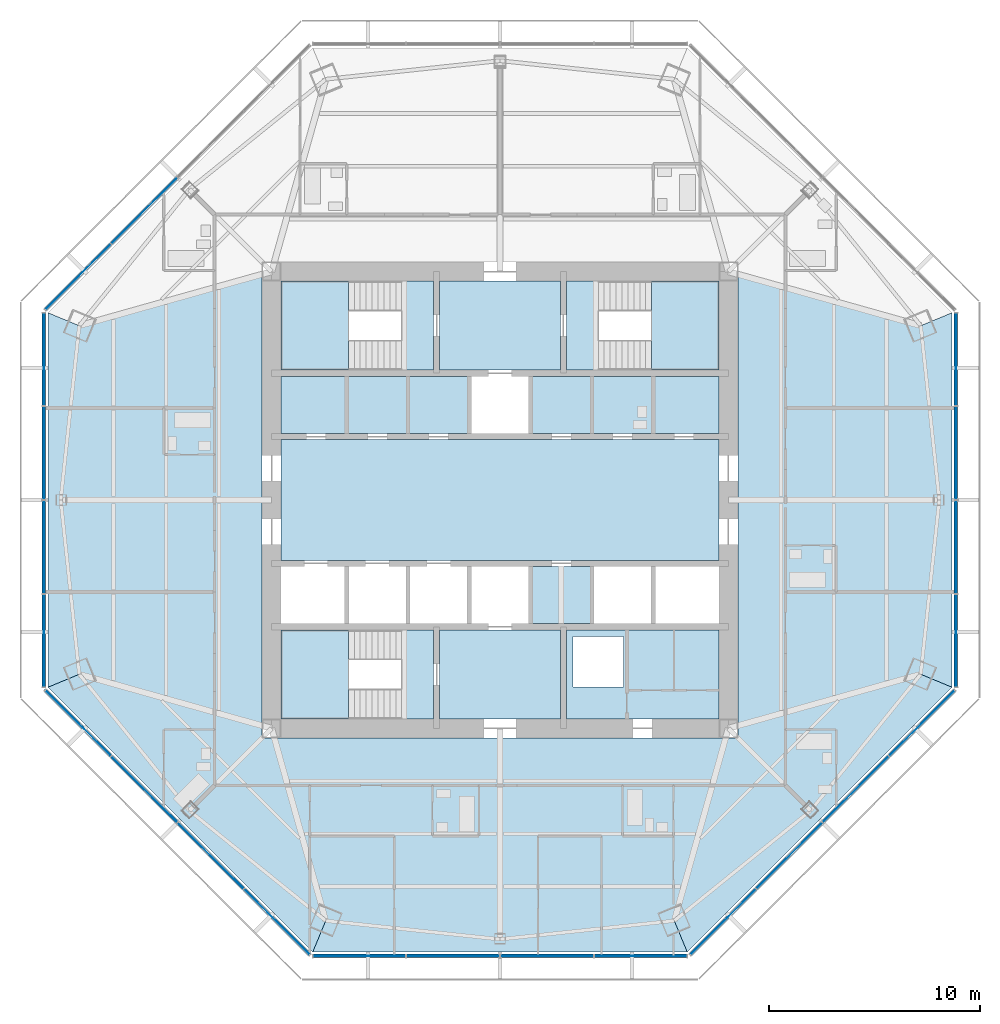
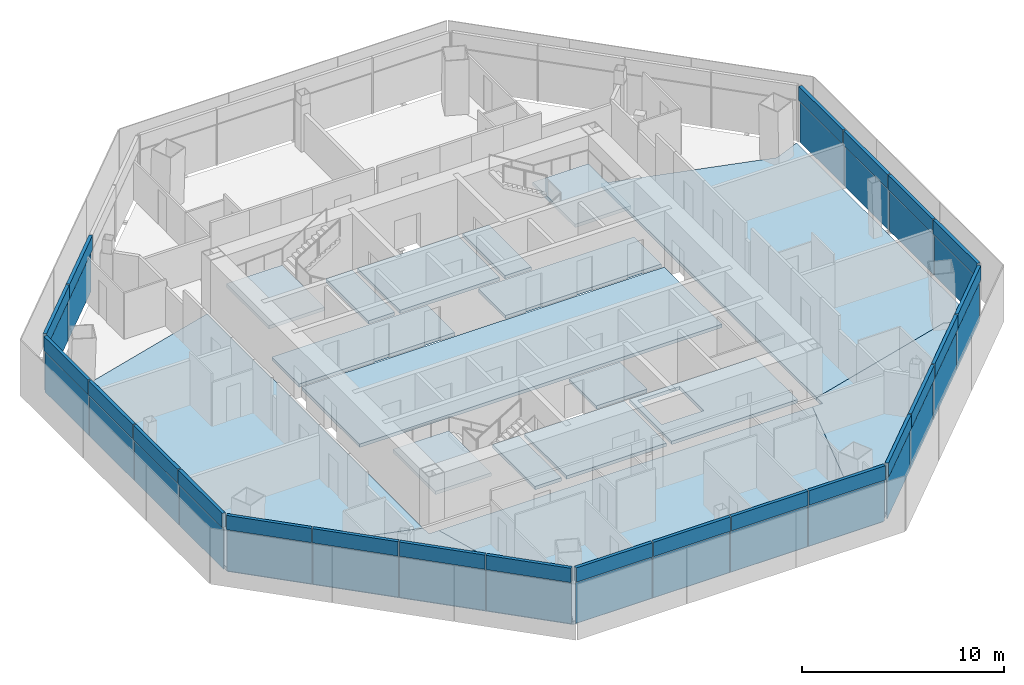
# One storey, part 7 of 15: 44 plates, 18 slabs, 9 elements without a shape of their own.
"""IFC4 building model written with IfcOpenShell, lengths in metres."""

from ifc_helpers import new_model, si_unit, direction, frame, origin, origin_2d, place, context, subcontext, project, spatial, polyline, rectangle, outline, extrude, source, transform, mapped, material, layer, layer_set, type_object, type_shapes, element, aggregate, save


model = new_model("IFC4")

# Units and contexts
model_context = context("Model", 3, precision=1e-05, world=origin(), true_north=direction((0.0, 1.0)))
body_context = subcontext(model_context, "Body", "Model", "MODEL_VIEW")
ifc_project = project(units=[si_unit("LENGTHUNIT", "METRE"), si_unit("AREAUNIT", "SQUARE_METRE"), si_unit("VOLUMEUNIT", "CUBIC_METRE"), si_unit("PLANEANGLEUNIT", "RADIAN"), si_unit("MASSUNIT", "GRAM", prefix="KILO")], contexts=[model_context])

# Site, building, storey
site_placement = place(None, origin())
site = spatial("IfcSite", under=ifc_project, at=site_placement, CompositionType="ELEMENT")
building_placement = place(site_placement, origin())
building = spatial("IfcBuilding", under=site, at=building_placement, Name="Mashrafa Tower", CompositionType="ELEMENT")
storey_placement = place(building_placement, frame((0.0, 0.0, 227.800048828125)))
storey = spatial("IfcBuildingStorey", under=building, at=storey_placement, Name="L53", CompositionType="ELEMENT", Elevation=227.800048828125)

# Slabs
ifc_material_1 = material(Name="Concrete C35/45", Category="concrete")
ifc_layer_1 = layer(ifc_material_1, 0.199951171875)
ifc_layer_set_1 = layer_set([ifc_layer_1], Name="Floor slab 200")
slab_type_1 = type_object("IfcSlabType", Name="Floor slab 200", PredefinedType="FLOOR", material=ifc_layer_set_1)
slab_1_placement = place(storey_placement, frame((0.0, 0.0, -0.199951171875)))
element("IfcSlab", 1, at=slab_1_placement, inside=storey, type_object=slab_type_1, Name="Floor slab L53 east bay", PredefinedType="FLOOR", context=body_context, shape_type="SweptSolid", body=[
    extrude(outline(polyline([(21.37060546875, -8.85205078125), (19.89794921875, -8.241943359375), (11.25, -10.673583984375), (11.25, 10.673583984375), (19.89794921875, 8.241943359375), (21.37060546875, 8.85205078125), (21.37060546875, -8.85205078125)])), origin(), (0.0, 0.0, 1.0), 0.199951171875),
])
slab_2_placement = place(storey_placement, frame((0.0, 0.0, -0.199951171875)))
element("IfcSlab", 2, at=slab_2_placement, inside=storey, type_object=slab_type_1, Name="Floor slab L53 west bay", PredefinedType="FLOOR", context=body_context, shape_type="SweptSolid", body=[
    extrude(outline(polyline([(-21.37060546875, 8.85205078125), (-19.89794921875, 8.241943359375), (-11.25, 10.673583984375), (-11.25, -10.673583984375), (-19.89794921875, -8.241943359375), (-21.37060546875, -8.85205078125), (-21.37060546875, 8.85205078125)])), origin(), (0.0, 0.0, 1.0), 0.199951171875),
])
slab_3_placement = place(storey_placement, frame((0.0, 0.0, -0.199951171875)))
element("IfcSlab", 3, at=slab_3_placement, inside=storey, type_object=slab_type_1, Name="Floor slab L53 south-west bay", PredefinedType="FLOOR", context=body_context, shape_type="SweptSolid", body=[
    extrude(outline(polyline([(-8.85205078125, -21.37060546875), (-21.37060546875, -8.85205078125), (-21.37060546875, -8.85205078125), (-19.89794921875, -8.241943359375), (-11.25, -10.673583984375), (-11.25, -11.25), (-10.673583984375, -11.25), (-8.241943359375, -19.89794921875), (-8.85205078125, -21.37060546875), (-8.85205078125, -21.37060546875)])), origin(), (0.0, 0.0, 1.0), 0.199951171875),
])
slab_4_placement = place(storey_placement, frame((0.0, 0.0, -0.199951171875)))
element("IfcSlab", 4, at=slab_4_placement, inside=storey, type_object=slab_type_1, Name="Floor slab L53 south bay", PredefinedType="FLOOR", context=body_context, shape_type="SweptSolid", body=[
    extrude(outline(polyline([(-8.85205078125, -21.37060546875), (-8.241943359375, -19.89794921875), (-10.673583984375, -11.25), (10.673583984375, -11.25), (8.241943359375, -19.89794921875), (8.85205078125, -21.37060546875), (-8.85205078125, -21.37060546875)])), origin(), (0.0, 0.0, 1.0), 0.199951171875),
])
slab_5_placement = place(storey_placement, frame((0.0, 0.0, -0.199951171875)))
element("IfcSlab", 5, at=slab_5_placement, inside=storey, type_object=slab_type_1, Name="Floor slab L53 south-east bay", PredefinedType="FLOOR", context=body_context, shape_type="SweptSolid", body=[
    extrude(outline(polyline([(8.85205078125, -21.37060546875), (8.241943359375, -19.89794921875), (10.673583984375, -11.25), (11.25, -11.25), (11.25, -10.673583984375), (19.89794921875, -8.241943359375), (21.37060546875, -8.85205078125), (21.37060546875, -8.85205078125), (8.85205078125, -21.37060546875), (8.85205078125, -21.37060546875)])), origin(), (0.0, 0.0, 1.0), 0.199951171875),
])
slab_6_placement = place(storey_placement, frame((0.0, 0.0, -0.199951171875)))
element("IfcSlab", 6, at=slab_6_placement, inside=storey, type_object=slab_type_1, Name="Core floor lift hall L53", PredefinedType="FLOOR", context=body_context, shape_type="SweptSolid", body=[
    extrude(outline(polyline([(-10.35009765625, 2.85009765625), (10.35009765625, 2.85009765625), (10.35009765625, -2.85009765625), (-10.35009765625, -2.85009765625), (-10.35009765625, 2.85009765625)])), origin(), (0.0, 0.0, 1.0), 0.199951171875),
])
slab_7_placement = place(storey_placement, frame((0.0, 0.0, -0.199951171875)))
element("IfcSlab", 7, at=slab_7_placement, inside=storey, type_object=slab_type_1, Name="Core floor riser and electrical band L53", PredefinedType="FLOOR", context=body_context, shape_type="SweptSolid", body=[
    extrude(outline(polyline([(10.35009765625, -6.14990234375), (10.35009765625, -10.35009765625), (3.14990234375, -10.35009765625), (3.14990234375, -6.14990234375), (10.35009765625, -6.14990234375)]), holes=[polyline([(3.449951171875, -8.85009765625), (5.85009765625, -8.85009765625), (5.85009765625, -6.449951171875), (3.449951171875, -6.449951171875), (3.449951171875, -8.85009765625)])]), origin(), (0.0, 0.0, 1.0), 0.199951171875),
])
slab_8_placement = place(storey_placement, frame((0.0, 0.0, -0.199951171875)))
element("IfcSlab", 8, at=slab_8_placement, inside=storey, type_object=slab_type_1, Name="Core floor lift cell L53", PredefinedType="FLOOR", context=body_context, shape_type="SweptSolid", body=[
    extrude(outline(polyline([(-10.35009765625, 5.85009765625), (-1.449951171875, 5.85009765625), (-1.449951171875, 3.14990234375), (-10.35009765625, 3.14990234375), (-10.35009765625, 5.85009765625)])), origin(), (0.0, 0.0, 1.0), 0.199951171875),
])
slab_9_placement = place(storey_placement, frame((0.0, 0.0, -0.199951171875)))
element("IfcSlab", 9, at=slab_9_placement, inside=storey, type_object=slab_type_1, Name="Core floor lift cell L53", PredefinedType="FLOOR", context=body_context, shape_type="SweptSolid", body=[
    extrude(outline(polyline([(1.449951171875, 5.85009765625), (10.35009765625, 5.85009765625), (10.35009765625, 3.14990234375), (1.449951171875, 3.14990234375), (1.449951171875, 5.85009765625)])), origin(), (0.0, 0.0, 1.0), 0.199951171875),
])
slab_10_placement = place(storey_placement, frame((0.0, 0.0, -0.199951171875)))
element("IfcSlab", 10, at=slab_10_placement, inside=storey, type_object=slab_type_1, Name="Core floor fire-fighting lobby south L53", PredefinedType="FLOOR", context=body_context, shape_type="SweptSolid", body=[
    extrude(outline(polyline([(2.85009765625, -6.14990234375), (2.85009765625, -10.35009765625), (-2.85009765625, -10.35009765625), (-2.85009765625, -6.14990234375), (2.85009765625, -6.14990234375)])), origin(), (0.0, 0.0, 1.0), 0.199951171875),
])
slab_11_placement = place(storey_placement, frame((0.0, 0.0, -0.199951171875)))
element("IfcSlab", 11, at=slab_11_placement, inside=storey, type_object=slab_type_1, Name="Core floor fire-fighting lobby north L53", PredefinedType="FLOOR", context=body_context, shape_type="SweptSolid", body=[
    extrude(outline(polyline([(-2.85009765625, 10.35009765625), (2.85009765625, 10.35009765625), (2.85009765625, 6.14990234375), (-2.85009765625, 6.14990234375), (-2.85009765625, 10.35009765625)])), origin(), (0.0, 0.0, 1.0), 0.199951171875),
])
slab_12_placement = place(storey_placement, frame((0.0, 0.0, -0.199951171875)))
element("IfcSlab", 12, at=slab_12_placement, inside=storey, type_object=slab_type_1, Name="Core floor lift cell L53", PredefinedType="FLOOR", context=body_context, shape_type="SweptSolid", body=[
    extrude(outline(polyline([(4.35009765625, -3.14990234375), (4.35009765625, -5.85009765625), (1.449951171875, -5.85009765625), (1.449951171875, -3.14990234375), (4.35009765625, -3.14990234375)])), origin(), (0.0, 0.0, 1.0), 0.199951171875),
])

# Stair, slabs
ifc_material_2 = material(Name="Exit stair 1400")
stair_type = type_object("IfcStairType", Name="Exit stair 1400", PredefinedType="HALF_TURN_STAIR", material=ifc_material_2)
stair_1_placement = place(storey_placement, origin())
stair_1 = element("IfcStair", 13, at=stair_1_placement, inside=storey, type_object=stair_type, Name="Stair S1 L53", PredefinedType="HALF_TURN_STAIR")
ifc_material_3 = material(Name="Concrete C32/40", Category="concrete")
ifc_layer_2 = layer(ifc_material_3, 0.199951171875)
ifc_layer_set_2 = layer_set([ifc_layer_2], Name="Stair landing 200")
slab_type_2 = type_object("IfcSlabType", Name="Stair landing 200", PredefinedType="LANDING", material=ifc_layer_set_2)
slab_13_placement = place(storey_placement, frame((0.0, 0.0, -0.199951171875)))
slab_13 = element("IfcSlab", 14, at=slab_13_placement, type_object=slab_type_2, Name="S1 landing 1", PredefinedType="LANDING", context=body_context, shape_type="SweptSolid", body=[
    extrude(outline(polyline([(-4.659912109375, 6.14990234375), (-3.14990234375, 6.14990234375), (-3.14990234375, 10.35009765625), (-4.659912109375, 10.35009765625), (-4.659912109375, 6.14990234375)])), origin(), (0.0, 0.0, 1.0), 0.199951171875),
])
slab_14_placement = place(storey_placement, frame((0.0, 0.0, 1.5)))
slab_14 = element("IfcSlab", 15, at=slab_14_placement, type_object=slab_type_2, Name="S1 landing 2", PredefinedType="LANDING", context=body_context, shape_type="SweptSolid", body=[
    extrude(outline(polyline([(-10.35009765625, 6.14990234375), (-7.159912109375, 6.14990234375), (-7.159912109375, 10.35009765625), (-10.35009765625, 10.35009765625), (-10.35009765625, 6.14990234375)])), origin(), (0.0, 0.0, 1.0), 0.199951171875),
])
aggregate(stair_1, [slab_13, slab_14])

stair_2_placement = place(storey_placement, origin())
stair_2 = element("IfcStair", 16, at=stair_2_placement, inside=storey, type_object=stair_type, Name="Stair S2 L53", PredefinedType="HALF_TURN_STAIR")
slab_15_placement = place(storey_placement, frame((0.0, 0.0, -0.199951171875)))
slab_15 = element("IfcSlab", 17, at=slab_15_placement, type_object=slab_type_2, Name="S2 landing 1", PredefinedType="LANDING", context=body_context, shape_type="SweptSolid", body=[
    extrude(outline(polyline([(3.14990234375, 6.14990234375), (4.659912109375, 6.14990234375), (4.659912109375, 10.35009765625), (3.14990234375, 10.35009765625), (3.14990234375, 6.14990234375)])), origin(), (0.0, 0.0, 1.0), 0.199951171875),
])
slab_16_placement = place(storey_placement, frame((0.0, 0.0, 1.5)))
slab_16 = element("IfcSlab", 18, at=slab_16_placement, type_object=slab_type_2, Name="S2 landing 2", PredefinedType="LANDING", context=body_context, shape_type="SweptSolid", body=[
    extrude(outline(polyline([(7.159912109375, 6.14990234375), (10.35009765625, 6.14990234375), (10.35009765625, 10.35009765625), (7.159912109375, 10.35009765625), (7.159912109375, 6.14990234375)])), origin(), (0.0, 0.0, 1.0), 0.199951171875),
])
aggregate(stair_2, [slab_15, slab_16])

stair_3_placement = place(storey_placement, origin())
stair_3 = element("IfcStair", 19, at=stair_3_placement, inside=storey, type_object=stair_type, Name="Stair S3 L53", PredefinedType="HALF_TURN_STAIR")
slab_17_placement = place(storey_placement, frame((0.0, 0.0, -0.199951171875)))
slab_17 = element("IfcSlab", 20, at=slab_17_placement, type_object=slab_type_2, Name="S3 landing 1", PredefinedType="LANDING", context=body_context, shape_type="SweptSolid", body=[
    extrude(outline(polyline([(-4.659912109375, -10.35009765625), (-3.14990234375, -10.35009765625), (-3.14990234375, -6.14990234375), (-4.659912109375, -6.14990234375), (-4.659912109375, -10.35009765625)])), origin(), (0.0, 0.0, 1.0), 0.199951171875),
])
slab_18_placement = place(storey_placement, frame((0.0, 0.0, 1.5)))
slab_18 = element("IfcSlab", 21, at=slab_18_placement, type_object=slab_type_2, Name="S3 landing 2", PredefinedType="LANDING", context=body_context, shape_type="SweptSolid", body=[
    extrude(outline(polyline([(-10.35009765625, -10.35009765625), (-7.159912109375, -10.35009765625), (-7.159912109375, -6.14990234375), (-10.35009765625, -6.14990234375), (-10.35009765625, -10.35009765625)])), origin(), (0.0, 0.0, 1.0), 0.199951171875),
])
aggregate(stair_3, [slab_17, slab_18])

# Curtain wall, plates
ifc_material_4 = material(Name="Unitised aluminium curtain wall", Category="aluminium")
curtain_wall_type = type_object("IfcCurtainWallType", Name="Apartment curtain wall, zone 3 CW-C 180 deep", PredefinedType="NOTDEFINED", material=ifc_material_4)
curtain_wall_1_placement = place(storey_placement, origin())
curtain_wall_1 = element("IfcCurtainWall", 22, at=curtain_wall_1_placement, inside=storey, type_object=curtain_wall_type, Name="Apartment curtain wall, zone 3 L53 east", PredefinedType="NOTDEFINED")
ifc_material_5 = material(Name="Insulated double glazing, acoustic", Category="glass")
ifc_layer_3 = layer(ifc_material_5, 0.028076171875)
ifc_layer_set_3 = layer_set([ifc_layer_3], Name="Vision panel CW-C 28")
plate_type_1 = type_object("IfcPlateType", Name="Vision panel CW-C 28", PredefinedType="CURTAIN_PANEL", material=ifc_layer_set_3)
shared_shape_1 = source(origin(), body_context, "Body", "SweptSolid", [
    extrude(rectangle(XDim=4.353759765625, YDim=0.028076171875, at=origin_2d()), origin(), (0.0, 0.0, 1.0), 2.46240234375),
])
plate_1_placement = place(storey_placement, frame((21.570556640625, -6.650634765625, 0.0), z_axis=(0.0, 0.0, 1.0), x_axis=(0.0, 1.0, 0.0)))
plate_1 = element("IfcPlate", 23, at=plate_1_placement, type_object=plate_type_1, Name="CW-C vision panel 1", PredefinedType="CURTAIN_PANEL", context=body_context, shape_type="MappedRepresentation", body=[
    mapped(shared_shape_1, transform((0.0, 0.0, 0.0))),
])
plate_2_placement = place(storey_placement, frame((21.570556640625, 6.650634765625, 0.0), z_axis=(0.0, 0.0, 1.0), x_axis=(0.0, 1.0, 0.0)))
plate_2 = element("IfcPlate", 24, at=plate_2_placement, type_object=plate_type_1, Name="CW-C vision panel 4", PredefinedType="CURTAIN_PANEL", context=body_context, shape_type="MappedRepresentation", body=[
    mapped(shared_shape_1, transform((0.0, 0.0, 0.0))),
])

# Curtain wall, plate
curtain_wall_2_placement = place(storey_placement, origin())
curtain_wall_2 = element("IfcCurtainWall", 25, at=curtain_wall_2_placement, inside=storey, type_object=curtain_wall_type, Name="Apartment curtain wall, zone 3 L53 north-west", PredefinedType="NOTDEFINED")
plate_3_placement = place(storey_placement, frame((-19.955322265625, 10.550048828125, 0.0), z_axis=(0.0, 0.0, 1.0), x_axis=(-0.707106781187, -0.707106781187, 0.0)))
plate_3 = element("IfcPlate", 26, at=plate_3_placement, type_object=plate_type_1, Name="CW-C vision panel 4", PredefinedType="CURTAIN_PANEL", context=body_context, shape_type="MappedRepresentation", body=[
    mapped(shared_shape_1, transform((0.0, 0.0, 0.0))),
])

# Curtain wall, plates
curtain_wall_3_placement = place(storey_placement, origin())
curtain_wall_3 = element("IfcCurtainWall", 27, at=curtain_wall_3_placement, inside=storey, type_object=curtain_wall_type, Name="Apartment curtain wall, zone 3 L53 west", PredefinedType="NOTDEFINED")
plate_4_placement = place(storey_placement, frame((-21.570556640625, 6.650634765625, 0.0), z_axis=(0.0, 0.0, 1.0), x_axis=(0.0, -1.0, 0.0)))
plate_4 = element("IfcPlate", 28, at=plate_4_placement, type_object=plate_type_1, Name="CW-C vision panel 1", PredefinedType="CURTAIN_PANEL", context=body_context, shape_type="MappedRepresentation", body=[
    mapped(shared_shape_1, transform((0.0, 0.0, 0.0))),
])
plate_5_placement = place(storey_placement, frame((-21.570556640625, -6.650634765625, 0.0), z_axis=(0.0, 0.0, 1.0), x_axis=(0.0, -1.0, 0.0)))
plate_5 = element("IfcPlate", 29, at=plate_5_placement, type_object=plate_type_1, Name="CW-C vision panel 4", PredefinedType="CURTAIN_PANEL", context=body_context, shape_type="MappedRepresentation", body=[
    mapped(shared_shape_1, transform((0.0, 0.0, 0.0))),
])

curtain_wall_4_placement = place(storey_placement, origin())
curtain_wall_4 = element("IfcCurtainWall", 30, at=curtain_wall_4_placement, inside=storey, type_object=curtain_wall_type, Name="Apartment curtain wall, zone 3 L53 south-west", PredefinedType="NOTDEFINED")
plate_6_placement = place(storey_placement, frame((-19.955322265625, -10.550048828125, 0.0), z_axis=(0.0, 0.0, 1.0), x_axis=(0.707106781187, -0.707106781187, 0.0)))
plate_6 = element("IfcPlate", 31, at=plate_6_placement, type_object=plate_type_1, Name="CW-C vision panel 1", PredefinedType="CURTAIN_PANEL", context=body_context, shape_type="MappedRepresentation", body=[
    mapped(shared_shape_1, transform((0.0, 0.0, 0.0))),
])
plate_7_placement = place(storey_placement, frame((-10.550048828125, -19.955322265625, 0.0), z_axis=(0.0, 0.0, 1.0), x_axis=(0.707106781187, -0.707106781187, 0.0)))
plate_7 = element("IfcPlate", 32, at=plate_7_placement, type_object=plate_type_1, Name="CW-C vision panel 4", PredefinedType="CURTAIN_PANEL", context=body_context, shape_type="MappedRepresentation", body=[
    mapped(shared_shape_1, transform((0.0, 0.0, 0.0))),
])

curtain_wall_5_placement = place(storey_placement, origin())
curtain_wall_5 = element("IfcCurtainWall", 33, at=curtain_wall_5_placement, inside=storey, type_object=curtain_wall_type, Name="Apartment curtain wall, zone 3 L53 south", PredefinedType="NOTDEFINED")
plate_8_placement = place(storey_placement, frame((-6.650634765625, -21.570556640625, 0.0), z_axis=(0.0, 0.0, 1.0), x_axis=(1.0, 0.0, 0.0)))
plate_8 = element("IfcPlate", 34, at=plate_8_placement, type_object=plate_type_1, Name="CW-C vision panel 1", PredefinedType="CURTAIN_PANEL", context=body_context, shape_type="MappedRepresentation", body=[
    mapped(shared_shape_1, transform((0.0, 0.0, 0.0))),
])
plate_9_placement = place(storey_placement, frame((6.650634765625, -21.570556640625, 0.0), z_axis=(0.0, 0.0, 1.0), x_axis=(1.0, 0.0, 0.0)))
plate_9 = element("IfcPlate", 35, at=plate_9_placement, type_object=plate_type_1, Name="CW-C vision panel 4", PredefinedType="CURTAIN_PANEL", context=body_context, shape_type="MappedRepresentation", body=[
    mapped(shared_shape_1, transform((0.0, 0.0, 0.0))),
])

curtain_wall_6_placement = place(storey_placement, origin())
curtain_wall_6 = element("IfcCurtainWall", 36, at=curtain_wall_6_placement, inside=storey, type_object=curtain_wall_type, Name="Apartment curtain wall, zone 3 L53 south-east", PredefinedType="NOTDEFINED")
plate_10_placement = place(storey_placement, frame((10.550048828125, -19.955322265625, 0.0), z_axis=(0.0, 0.0, 1.0), x_axis=(0.707106781187, 0.707106781187, 0.0)))
plate_10 = element("IfcPlate", 37, at=plate_10_placement, type_object=plate_type_1, Name="CW-C vision panel 1", PredefinedType="CURTAIN_PANEL", context=body_context, shape_type="MappedRepresentation", body=[
    mapped(shared_shape_1, transform((0.0, 0.0, 0.0))),
])
plate_11_placement = place(storey_placement, frame((19.955322265625, -10.550048828125, 0.0), z_axis=(0.0, 0.0, 1.0), x_axis=(0.707106781187, 0.707106781187, 0.0)))
plate_11 = element("IfcPlate", 38, at=plate_11_placement, type_object=plate_type_1, Name="CW-C vision panel 4", PredefinedType="CURTAIN_PANEL", context=body_context, shape_type="MappedRepresentation", body=[
    mapped(shared_shape_1, transform((0.0, 0.0, 0.0))),
])

# Plate
ifc_material_6 = material(Name="Insulated bronze aluminium spandrel panel", Category="aluminium")
ifc_layer_4 = layer(ifc_material_6, 0.179931640625)
ifc_layer_set_4 = layer_set([ifc_layer_4], Name="Spandrel panel CW-C 180")
plate_type_2 = type_object("IfcPlateType", Name="Spandrel panel CW-C 180", PredefinedType="CURTAIN_PANEL", material=ifc_layer_set_4)
shared_shape_2 = source(origin(), body_context, "Body", "SweptSolid", [
    extrude(rectangle(XDim=4.353759765625, YDim=0.179931640625, at=origin_2d()), origin(), (0.0, 0.0, 1.0), 0.862548828125),
])
plate_12_placement = place(storey_placement, frame((21.570556640625, -6.650634765625, 2.53759765625), z_axis=(0.0, 0.0, 1.0), x_axis=(0.0, 1.0, 0.0)))
plate_12 = element("IfcPlate", 39, at=plate_12_placement, type_object=plate_type_2, Name="CW-C spandrel panel 1", PredefinedType="CURTAIN_PANEL", context=body_context, shape_type="MappedRepresentation", body=[
    mapped(shared_shape_2, transform((0.0, 0.0, 0.0))),
])

plate_13_placement = place(storey_placement, frame((21.570556640625, 6.650634765625, 2.53759765625), z_axis=(0.0, 0.0, 1.0), x_axis=(0.0, 1.0, 0.0)))
plate_13 = element("IfcPlate", 40, at=plate_13_placement, type_object=plate_type_2, Name="CW-C spandrel panel 4", PredefinedType="CURTAIN_PANEL", context=body_context, shape_type="MappedRepresentation", body=[
    mapped(shared_shape_2, transform((0.0, 0.0, 0.0))),
])

plate_14_placement = place(storey_placement, frame((-19.955322265625, 10.550048828125, 2.53759765625), z_axis=(0.0, 0.0, 1.0), x_axis=(-0.707106781187, -0.707106781187, 0.0)))
plate_14 = element("IfcPlate", 41, at=plate_14_placement, type_object=plate_type_2, Name="CW-C spandrel panel 4", PredefinedType="CURTAIN_PANEL", context=body_context, shape_type="MappedRepresentation", body=[
    mapped(shared_shape_2, transform((0.0, 0.0, 0.0))),
])

plate_15_placement = place(storey_placement, frame((-21.570556640625, 6.650634765625, 2.53759765625), z_axis=(0.0, 0.0, 1.0), x_axis=(0.0, -1.0, 0.0)))
plate_15 = element("IfcPlate", 42, at=plate_15_placement, type_object=plate_type_2, Name="CW-C spandrel panel 1", PredefinedType="CURTAIN_PANEL", context=body_context, shape_type="MappedRepresentation", body=[
    mapped(shared_shape_2, transform((0.0, 0.0, 0.0))),
])

plate_16_placement = place(storey_placement, frame((-21.570556640625, -6.650634765625, 2.53759765625), z_axis=(0.0, 0.0, 1.0), x_axis=(0.0, -1.0, 0.0)))
plate_16 = element("IfcPlate", 43, at=plate_16_placement, type_object=plate_type_2, Name="CW-C spandrel panel 4", PredefinedType="CURTAIN_PANEL", context=body_context, shape_type="MappedRepresentation", body=[
    mapped(shared_shape_2, transform((0.0, 0.0, 0.0))),
])

plate_17_placement = place(storey_placement, frame((-19.955322265625, -10.550048828125, 2.53759765625), z_axis=(0.0, 0.0, 1.0), x_axis=(0.707106781187, -0.707106781187, 0.0)))
plate_17 = element("IfcPlate", 44, at=plate_17_placement, type_object=plate_type_2, Name="CW-C spandrel panel 1", PredefinedType="CURTAIN_PANEL", context=body_context, shape_type="MappedRepresentation", body=[
    mapped(shared_shape_2, transform((0.0, 0.0, 0.0))),
])

plate_18_placement = place(storey_placement, frame((-10.550048828125, -19.955322265625, 2.53759765625), z_axis=(0.0, 0.0, 1.0), x_axis=(0.707106781187, -0.707106781187, 0.0)))
plate_18 = element("IfcPlate", 45, at=plate_18_placement, type_object=plate_type_2, Name="CW-C spandrel panel 4", PredefinedType="CURTAIN_PANEL", context=body_context, shape_type="MappedRepresentation", body=[
    mapped(shared_shape_2, transform((0.0, 0.0, 0.0))),
])

plate_19_placement = place(storey_placement, frame((-6.650634765625, -21.570556640625, 2.53759765625), z_axis=(0.0, 0.0, 1.0), x_axis=(1.0, 0.0, 0.0)))
plate_19 = element("IfcPlate", 46, at=plate_19_placement, type_object=plate_type_2, Name="CW-C spandrel panel 1", PredefinedType="CURTAIN_PANEL", context=body_context, shape_type="MappedRepresentation", body=[
    mapped(shared_shape_2, transform((0.0, 0.0, 0.0))),
])

plate_20_placement = place(storey_placement, frame((6.650634765625, -21.570556640625, 2.53759765625), z_axis=(0.0, 0.0, 1.0), x_axis=(1.0, 0.0, 0.0)))
plate_20 = element("IfcPlate", 47, at=plate_20_placement, type_object=plate_type_2, Name="CW-C spandrel panel 4", PredefinedType="CURTAIN_PANEL", context=body_context, shape_type="MappedRepresentation", body=[
    mapped(shared_shape_2, transform((0.0, 0.0, 0.0))),
])

plate_21_placement = place(storey_placement, frame((10.550048828125, -19.955322265625, 2.53759765625), z_axis=(0.0, 0.0, 1.0), x_axis=(0.707106781187, 0.707106781187, 0.0)))
plate_21 = element("IfcPlate", 48, at=plate_21_placement, type_object=plate_type_2, Name="CW-C spandrel panel 1", PredefinedType="CURTAIN_PANEL", context=body_context, shape_type="MappedRepresentation", body=[
    mapped(shared_shape_2, transform((0.0, 0.0, 0.0))),
])

plate_22_placement = place(storey_placement, frame((19.955322265625, -10.550048828125, 2.53759765625), z_axis=(0.0, 0.0, 1.0), x_axis=(0.707106781187, 0.707106781187, 0.0)))
plate_22 = element("IfcPlate", 49, at=plate_22_placement, type_object=plate_type_2, Name="CW-C spandrel panel 4", PredefinedType="CURTAIN_PANEL", context=body_context, shape_type="MappedRepresentation", body=[
    mapped(shared_shape_2, transform((0.0, 0.0, 0.0))),
])

shared_shape_3 = source(origin(), body_context, "Body", "SweptSolid", [
    extrude(rectangle(XDim=4.3837890625, YDim=0.028076171875, at=origin_2d()), origin(), (0.0, 0.0, 1.0), 2.46240234375),
])
type_shapes(plate_type_1, [shared_shape_1, shared_shape_3])
plate_23_placement = place(storey_placement, frame((21.570556640625, -2.221923828125, 0.0), z_axis=(0.0, 0.0, 1.0), x_axis=(0.0, 1.0, 0.0)))
plate_23 = element("IfcPlate", 50, at=plate_23_placement, type_object=plate_type_1, Name="CW-C vision panel 2", PredefinedType="CURTAIN_PANEL", context=body_context, shape_type="MappedRepresentation", body=[
    mapped(shared_shape_3, transform((0.0, 0.0, 0.0))),
])

plate_24_placement = place(storey_placement, frame((21.570556640625, 2.221923828125, 0.0), z_axis=(0.0, 0.0, 1.0), x_axis=(0.0, 1.0, 0.0)))
plate_24 = element("IfcPlate", 51, at=plate_24_placement, type_object=plate_type_1, Name="CW-C vision panel 3", PredefinedType="CURTAIN_PANEL", context=body_context, shape_type="MappedRepresentation", body=[
    mapped(shared_shape_3, transform((0.0, 0.0, 0.0))),
])

plate_25_placement = place(storey_placement, frame((-16.82373046875, 13.681640625, 0.0), z_axis=(0.0, 0.0, 1.0), x_axis=(-0.707106781187, -0.707106781187, 0.0)))
plate_25 = element("IfcPlate", 52, at=plate_25_placement, type_object=plate_type_1, Name="CW-C vision panel 3", PredefinedType="CURTAIN_PANEL", context=body_context, shape_type="MappedRepresentation", body=[
    mapped(shared_shape_3, transform((0.0, 0.0, 0.0))),
])

plate_26_placement = place(storey_placement, frame((-21.570556640625, 2.221923828125, 0.0), z_axis=(0.0, 0.0, 1.0), x_axis=(0.0, -1.0, 0.0)))
plate_26 = element("IfcPlate", 53, at=plate_26_placement, type_object=plate_type_1, Name="CW-C vision panel 2", PredefinedType="CURTAIN_PANEL", context=body_context, shape_type="MappedRepresentation", body=[
    mapped(shared_shape_3, transform((0.0, 0.0, 0.0))),
])

plate_27_placement = place(storey_placement, frame((-21.570556640625, -2.221923828125, 0.0), z_axis=(0.0, 0.0, 1.0), x_axis=(0.0, -1.0, 0.0)))
plate_27 = element("IfcPlate", 54, at=plate_27_placement, type_object=plate_type_1, Name="CW-C vision panel 3", PredefinedType="CURTAIN_PANEL", context=body_context, shape_type="MappedRepresentation", body=[
    mapped(shared_shape_3, transform((0.0, 0.0, 0.0))),
])

plate_28_placement = place(storey_placement, frame((-16.82373046875, -13.681640625, 0.0), z_axis=(0.0, 0.0, 1.0), x_axis=(0.707106781187, -0.707106781187, 0.0)))
plate_28 = element("IfcPlate", 55, at=plate_28_placement, type_object=plate_type_1, Name="CW-C vision panel 2", PredefinedType="CURTAIN_PANEL", context=body_context, shape_type="MappedRepresentation", body=[
    mapped(shared_shape_3, transform((0.0, 0.0, 0.0))),
])

plate_29_placement = place(storey_placement, frame((-13.681640625, -16.82373046875, 0.0), z_axis=(0.0, 0.0, 1.0), x_axis=(0.707106781187, -0.707106781187, 0.0)))
plate_29 = element("IfcPlate", 56, at=plate_29_placement, type_object=plate_type_1, Name="CW-C vision panel 3", PredefinedType="CURTAIN_PANEL", context=body_context, shape_type="MappedRepresentation", body=[
    mapped(shared_shape_3, transform((0.0, 0.0, 0.0))),
])

plate_30_placement = place(storey_placement, frame((-2.221923828125, -21.570556640625, 0.0), z_axis=(0.0, 0.0, 1.0), x_axis=(1.0, 0.0, 0.0)))
plate_30 = element("IfcPlate", 57, at=plate_30_placement, type_object=plate_type_1, Name="CW-C vision panel 2", PredefinedType="CURTAIN_PANEL", context=body_context, shape_type="MappedRepresentation", body=[
    mapped(shared_shape_3, transform((0.0, 0.0, 0.0))),
])

plate_31_placement = place(storey_placement, frame((2.221923828125, -21.570556640625, 0.0), z_axis=(0.0, 0.0, 1.0), x_axis=(1.0, 0.0, 0.0)))
plate_31 = element("IfcPlate", 58, at=plate_31_placement, type_object=plate_type_1, Name="CW-C vision panel 3", PredefinedType="CURTAIN_PANEL", context=body_context, shape_type="MappedRepresentation", body=[
    mapped(shared_shape_3, transform((0.0, 0.0, 0.0))),
])

plate_32_placement = place(storey_placement, frame((13.681640625, -16.82373046875, 0.0), z_axis=(0.0, 0.0, 1.0), x_axis=(0.707106781187, 0.707106781187, 0.0)))
plate_32 = element("IfcPlate", 59, at=plate_32_placement, type_object=plate_type_1, Name="CW-C vision panel 2", PredefinedType="CURTAIN_PANEL", context=body_context, shape_type="MappedRepresentation", body=[
    mapped(shared_shape_3, transform((0.0, 0.0, 0.0))),
])

plate_33_placement = place(storey_placement, frame((16.82373046875, -13.681640625, 0.0), z_axis=(0.0, 0.0, 1.0), x_axis=(0.707106781187, 0.707106781187, 0.0)))
plate_33 = element("IfcPlate", 60, at=plate_33_placement, type_object=plate_type_1, Name="CW-C vision panel 3", PredefinedType="CURTAIN_PANEL", context=body_context, shape_type="MappedRepresentation", body=[
    mapped(shared_shape_3, transform((0.0, 0.0, 0.0))),
])

shared_shape_4 = source(origin(), body_context, "Body", "SweptSolid", [
    extrude(rectangle(XDim=4.3837890625, YDim=0.179931640625, at=origin_2d()), origin(), (0.0, 0.0, 1.0), 0.862548828125),
])
type_shapes(plate_type_2, [shared_shape_2, shared_shape_4])
plate_34_placement = place(storey_placement, frame((21.570556640625, -2.221923828125, 2.53759765625), z_axis=(0.0, 0.0, 1.0), x_axis=(0.0, 1.0, 0.0)))
plate_34 = element("IfcPlate", 61, at=plate_34_placement, type_object=plate_type_2, Name="CW-C spandrel panel 2", PredefinedType="CURTAIN_PANEL", context=body_context, shape_type="MappedRepresentation", body=[
    mapped(shared_shape_4, transform((0.0, 0.0, 0.0))),
])

plate_35_placement = place(storey_placement, frame((21.570556640625, 2.221923828125, 2.53759765625), z_axis=(0.0, 0.0, 1.0), x_axis=(0.0, 1.0, 0.0)))
plate_35 = element("IfcPlate", 62, at=plate_35_placement, type_object=plate_type_2, Name="CW-C spandrel panel 3", PredefinedType="CURTAIN_PANEL", context=body_context, shape_type="MappedRepresentation", body=[
    mapped(shared_shape_4, transform((0.0, 0.0, 0.0))),
])

aggregate(curtain_wall_1, [plate_1, plate_12, plate_23, plate_34, plate_24, plate_35, plate_2, plate_13])

plate_36_placement = place(storey_placement, frame((-16.82373046875, 13.681640625, 2.53759765625), z_axis=(0.0, 0.0, 1.0), x_axis=(-0.707106781187, -0.707106781187, 0.0)))
plate_36 = element("IfcPlate", 63, at=plate_36_placement, type_object=plate_type_2, Name="CW-C spandrel panel 3", PredefinedType="CURTAIN_PANEL", context=body_context, shape_type="MappedRepresentation", body=[
    mapped(shared_shape_4, transform((0.0, 0.0, 0.0))),
])

aggregate(curtain_wall_2, [plate_25, plate_36, plate_3, plate_14])

plate_37_placement = place(storey_placement, frame((-21.570556640625, 2.221923828125, 2.53759765625), z_axis=(0.0, 0.0, 1.0), x_axis=(0.0, -1.0, 0.0)))
plate_37 = element("IfcPlate", 64, at=plate_37_placement, type_object=plate_type_2, Name="CW-C spandrel panel 2", PredefinedType="CURTAIN_PANEL", context=body_context, shape_type="MappedRepresentation", body=[
    mapped(shared_shape_4, transform((0.0, 0.0, 0.0))),
])

plate_38_placement = place(storey_placement, frame((-21.570556640625, -2.221923828125, 2.53759765625), z_axis=(0.0, 0.0, 1.0), x_axis=(0.0, -1.0, 0.0)))
plate_38 = element("IfcPlate", 65, at=plate_38_placement, type_object=plate_type_2, Name="CW-C spandrel panel 3", PredefinedType="CURTAIN_PANEL", context=body_context, shape_type="MappedRepresentation", body=[
    mapped(shared_shape_4, transform((0.0, 0.0, 0.0))),
])

aggregate(curtain_wall_3, [plate_4, plate_15, plate_26, plate_37, plate_27, plate_38, plate_5, plate_16])

plate_39_placement = place(storey_placement, frame((-16.82373046875, -13.681640625, 2.53759765625), z_axis=(0.0, 0.0, 1.0), x_axis=(0.707106781187, -0.707106781187, 0.0)))
plate_39 = element("IfcPlate", 66, at=plate_39_placement, type_object=plate_type_2, Name="CW-C spandrel panel 2", PredefinedType="CURTAIN_PANEL", context=body_context, shape_type="MappedRepresentation", body=[
    mapped(shared_shape_4, transform((0.0, 0.0, 0.0))),
])

plate_40_placement = place(storey_placement, frame((-13.681640625, -16.82373046875, 2.53759765625), z_axis=(0.0, 0.0, 1.0), x_axis=(0.707106781187, -0.707106781187, 0.0)))
plate_40 = element("IfcPlate", 67, at=plate_40_placement, type_object=plate_type_2, Name="CW-C spandrel panel 3", PredefinedType="CURTAIN_PANEL", context=body_context, shape_type="MappedRepresentation", body=[
    mapped(shared_shape_4, transform((0.0, 0.0, 0.0))),
])

aggregate(curtain_wall_4, [plate_6, plate_17, plate_28, plate_39, plate_29, plate_40, plate_7, plate_18])

plate_41_placement = place(storey_placement, frame((-2.221923828125, -21.570556640625, 2.53759765625), z_axis=(0.0, 0.0, 1.0), x_axis=(1.0, 0.0, 0.0)))
plate_41 = element("IfcPlate", 68, at=plate_41_placement, type_object=plate_type_2, Name="CW-C spandrel panel 2", PredefinedType="CURTAIN_PANEL", context=body_context, shape_type="MappedRepresentation", body=[
    mapped(shared_shape_4, transform((0.0, 0.0, 0.0))),
])

plate_42_placement = place(storey_placement, frame((2.221923828125, -21.570556640625, 2.53759765625), z_axis=(0.0, 0.0, 1.0), x_axis=(1.0, 0.0, 0.0)))
plate_42 = element("IfcPlate", 69, at=plate_42_placement, type_object=plate_type_2, Name="CW-C spandrel panel 3", PredefinedType="CURTAIN_PANEL", context=body_context, shape_type="MappedRepresentation", body=[
    mapped(shared_shape_4, transform((0.0, 0.0, 0.0))),
])

aggregate(curtain_wall_5, [plate_8, plate_19, plate_30, plate_41, plate_31, plate_42, plate_9, plate_20])

plate_43_placement = place(storey_placement, frame((13.681640625, -16.82373046875, 2.53759765625), z_axis=(0.0, 0.0, 1.0), x_axis=(0.707106781187, 0.707106781187, 0.0)))
plate_43 = element("IfcPlate", 70, at=plate_43_placement, type_object=plate_type_2, Name="CW-C spandrel panel 2", PredefinedType="CURTAIN_PANEL", context=body_context, shape_type="MappedRepresentation", body=[
    mapped(shared_shape_4, transform((0.0, 0.0, 0.0))),
])

plate_44_placement = place(storey_placement, frame((16.82373046875, -13.681640625, 2.53759765625), z_axis=(0.0, 0.0, 1.0), x_axis=(0.707106781187, 0.707106781187, 0.0)))
plate_44 = element("IfcPlate", 71, at=plate_44_placement, type_object=plate_type_2, Name="CW-C spandrel panel 3", PredefinedType="CURTAIN_PANEL", context=body_context, shape_type="MappedRepresentation", body=[
    mapped(shared_shape_4, transform((0.0, 0.0, 0.0))),
])

aggregate(curtain_wall_6, [plate_10, plate_21, plate_32, plate_43, plate_33, plate_44, plate_11, plate_22])

save(model, "model.ifc")
